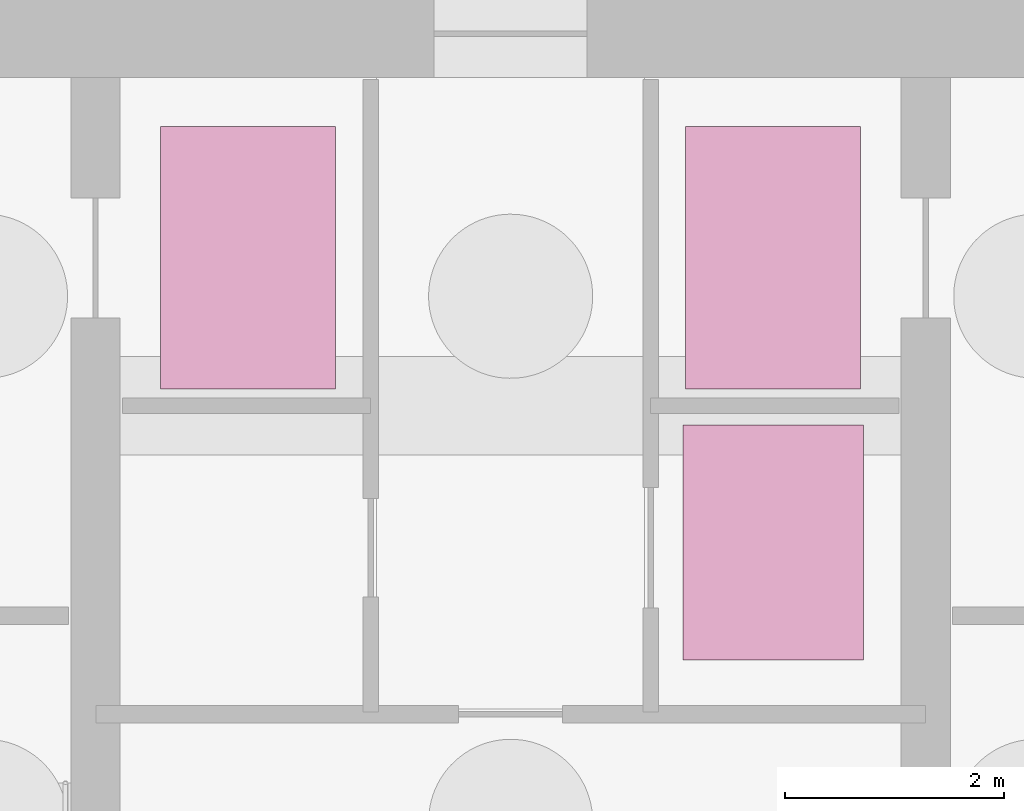
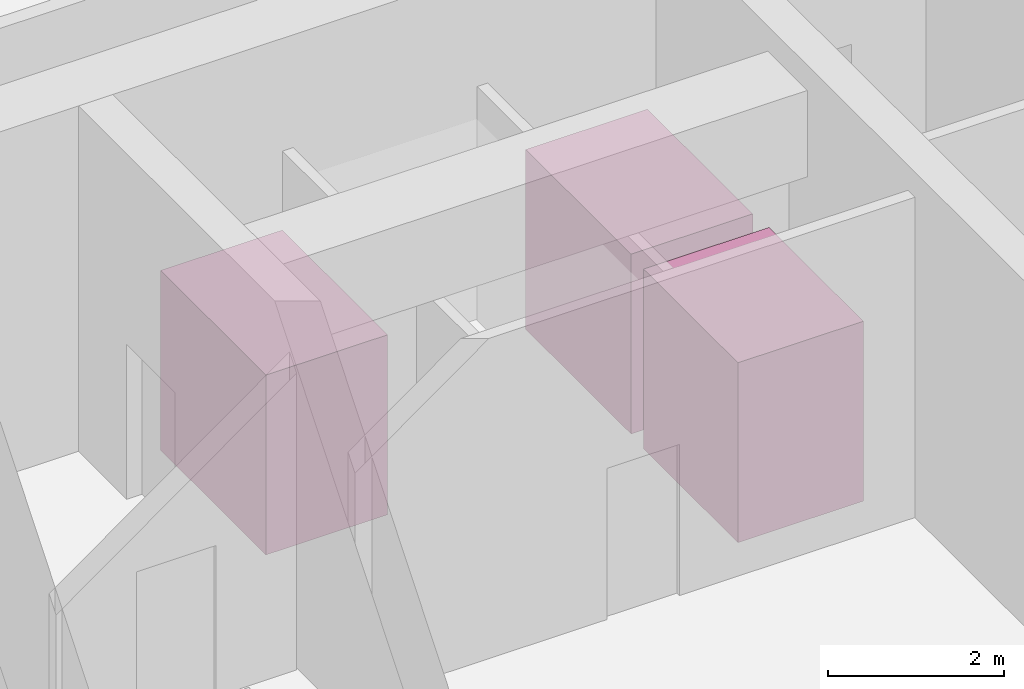
# One storey, part 9 of 9: 3 transport elements.
"""IFC4 building model written with IfcOpenShell, lengths in metres."""

from ifc_helpers import new_model, si_unit, direction, frame, origin, origin_2d, place, context, subcontext, project, spatial, rectangle, extrude, source, transform, mapped, material, type_object, type_shapes, element, save


model = new_model("IFC4")

# Units and contexts
model_context = context("Model", 3, precision=1e-05, world=origin(), true_north=direction((0.0, 1.0)))
body_context = subcontext(model_context, "Body", "Model", "MODEL_VIEW")
ifc_project = project(units=[si_unit("LENGTHUNIT", "METRE"), si_unit("AREAUNIT", "SQUARE_METRE"), si_unit("VOLUMEUNIT", "CUBIC_METRE"), si_unit("PLANEANGLEUNIT", "RADIAN"), si_unit("MASSUNIT", "GRAM", prefix="KILO")], contexts=[model_context])

# Site, building, storey
site_placement = place(None, origin())
site = spatial("IfcSite", under=ifc_project, at=site_placement, CompositionType="ELEMENT")
building_placement = place(site_placement, origin())
building = spatial("IfcBuilding", under=site, at=building_placement, Name="Krantzveldt Concourse Tower", CompositionType="ELEMENT")
storey_placement = place(building_placement, frame((0.0, 0.0, -4.800048828125)))
storey = spatial("IfcBuildingStorey", under=building, at=storey_placement, Name="B1", CompositionType="ELEMENT", Elevation=-4.800048828125)

# Transport elements
ifc_material = material(Name="Stainless steel 316L", Category="steel")
transport_element_type_1 = type_object("IfcTransportElementType", Name="LFT-FIRE-FL1", PredefinedType="ELEVATOR", material=ifc_material)
shared_shape_1 = source(origin(), body_context, "Body", "SweptSolid", [
    extrude(rectangle(XDim=1.60009765625, YDim=2.39990234375, at=origin_2d()), origin(), (0.0, 0.0, 1.0), 2.5),
])
type_shapes(transport_element_type_1, [shared_shape_1])
transport_element_1_placement = place(storey_placement, frame((33.60009765625, 24.35009765625, 0.0), z_axis=(0.0, 0.0, 1.0), x_axis=(1.0, 0.0, 0.0)))
element("IfcTransportElement", 1, at=transport_element_1_placement, inside=storey, type_object=transport_element_type_1, Name="Elevator Car FL1", PredefinedType="ELEVATOR", context=body_context, shape_type="MappedRepresentation", body=[
    mapped(shared_shape_1, transform((0.0, 0.0, 0.0), x_axis=(1.0, 0.0, 0.0), y_axis=(0.0, 1.0, 0.0), z_axis=(0.0, 0.0, 1.0), scale=1.0)),
])
transport_element_type_2 = type_object("IfcTransportElementType", Name="LFT-FIRE-FL2", PredefinedType="ELEVATOR", material=ifc_material)
shared_shape_2 = source(origin(), body_context, "Body", "SweptSolid", [
    extrude(rectangle(XDim=1.60009765625, YDim=2.39990234375, at=origin_2d()), origin(), (0.0, 0.0, 1.0), 2.5),
])
type_shapes(transport_element_type_2, [shared_shape_2])
transport_element_2_placement = place(storey_placement, frame((38.39990234375, 24.35009765625, 0.0), z_axis=(0.0, 0.0, 1.0), x_axis=(1.0, 0.0, 0.0)))
element("IfcTransportElement", 2, at=transport_element_2_placement, inside=storey, type_object=transport_element_type_2, Name="Elevator Car FL2", PredefinedType="ELEVATOR", context=body_context, shape_type="MappedRepresentation", body=[
    mapped(shared_shape_2, transform((0.0, 0.0, 0.0), x_axis=(1.0, 0.0, 0.0), y_axis=(0.0, 1.0, 0.0), z_axis=(0.0, 0.0, 1.0), scale=1.0)),
])
transport_element_type_3 = type_object("IfcTransportElementType", Name="LFT-GOODS-2500", PredefinedType="ELEVATOR", material=ifc_material)
shared_shape_3 = source(origin(), body_context, "Body", "SweptSolid", [
    extrude(rectangle(XDim=1.64990234375, YDim=2.14990234375, at=origin_2d()), origin(), (0.0, 0.0, 1.0), 2.5),
])
type_shapes(transport_element_type_3, [shared_shape_3])
transport_element_3_placement = place(storey_placement, frame((38.39990234375, 21.75, 0.0), z_axis=(0.0, 0.0, 1.0), x_axis=(1.0, 0.0, 0.0)))
element("IfcTransportElement", 3, at=transport_element_3_placement, inside=storey, type_object=transport_element_type_3, Name="Elevator Car GL1", PredefinedType="ELEVATOR", context=body_context, shape_type="MappedRepresentation", body=[
    mapped(shared_shape_3, transform((0.0, 0.0, 0.0), x_axis=(1.0, 0.0, 0.0), y_axis=(0.0, 1.0, 0.0), z_axis=(0.0, 0.0, 1.0), scale=1.0)),
])

save(model, "model.ifc")
